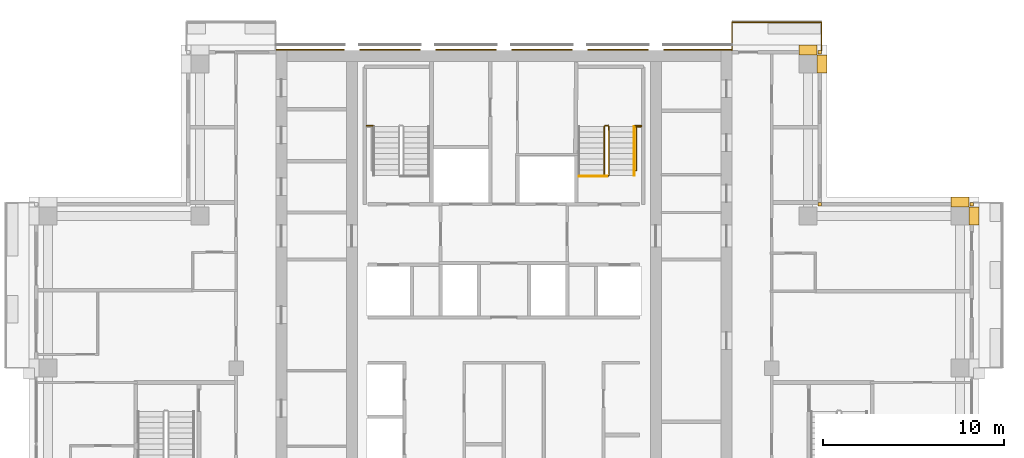
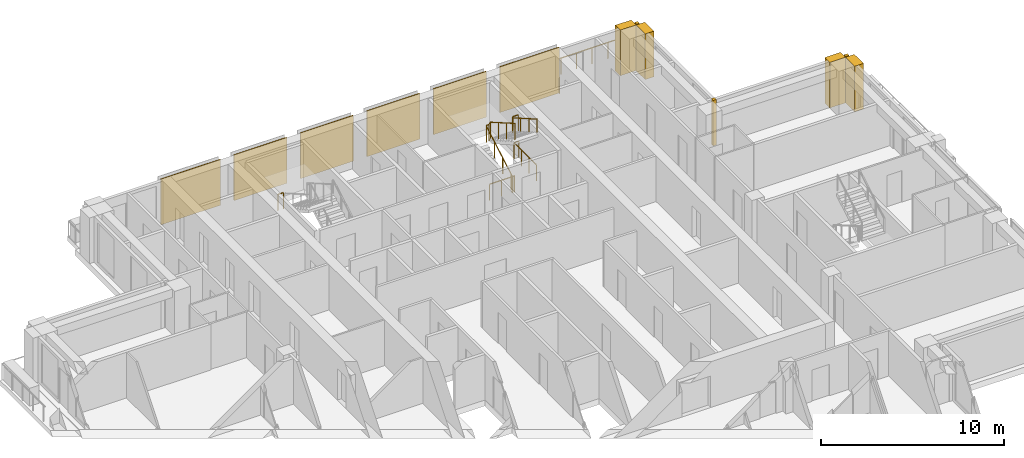
# One storey, part 16 of 16: 13 coverings, 7 railings.
"""IFC4 building model written with IfcOpenShell, lengths in metres."""

from ifc_helpers import new_model, si_unit, direction, frame, origin, origin_2d, place, context, subcontext, project, spatial, polyline, rectangle, outline, extrude, material, type_object, element, save


model = new_model("IFC4")

# Units and contexts
model_context = context("Model", 3, precision=1e-05, world=origin(), true_north=direction((0.0, 1.0)))
body_context = subcontext(model_context, "Body", "Model", "MODEL_VIEW")
ifc_project = project(units=[si_unit("LENGTHUNIT", "METRE"), si_unit("AREAUNIT", "SQUARE_METRE"), si_unit("VOLUMEUNIT", "CUBIC_METRE"), si_unit("PLANEANGLEUNIT", "RADIAN"), si_unit("MASSUNIT", "GRAM", prefix="KILO")], contexts=[model_context])

# Site, building, storey
site_placement = place(None, origin())
site = spatial("IfcSite", under=ifc_project, at=site_placement, CompositionType="ELEMENT")
building_placement = place(site_placement, origin())
building = spatial("IfcBuilding", under=site, at=building_placement, Name="Vermilion Ogive Tower", CompositionType="ELEMENT")
storey_placement = place(building_placement, frame((0.0, 0.0, 182.449951171875)))
storey = spatial("IfcBuildingStorey", under=building, at=storey_placement, Name="L47", CompositionType="ELEMENT", Elevation=182.449951171875)

# Railings
ifc_material_1 = material(Name="Stainless steel and glass", Category="steel")
railing_type_1 = type_object("IfcRailingType", Name="Balcony guard", PredefinedType="GUARDRAIL", material=ifc_material_1)
railing_1_placement = place(storey_placement, frame((17.550048828125, 21.75, -0.0400390625)))
element("IfcRailing", 1, at=railing_1_placement, inside=storey, type_object=railing_type_1, Name="Guard N101", PredefinedType="GUARDRAIL", context=body_context, shape_type="SweptSolid", body=[
    extrude(rectangle(XDim=0.048095703125, YDim=0.048095703125, at=origin_2d()), frame((0.0, 0.0, 1.076171875), z_axis=(0.0, 1.0, 0.0), x_axis=(-1.0, 0.0, 0.0)), (0.0, 0.0, 1.0), 1.56396484375),
    extrude(rectangle(XDim=0.048095703125, YDim=0.048095703125, at=origin_2d()), frame((0.0, 1.56396484375, 1.076171875), z_axis=(-1.0, 0.0, 0.0), x_axis=(0.0, -1.0, 0.0)), (0.0, 0.0, 1.0), 4.949951171875),
    extrude(rectangle(XDim=0.048095703125, YDim=0.048095703125, at=origin_2d()), frame((-4.949951171875, 1.56396484375, 1.076171875), z_axis=(0.0, -1.0, 0.0), x_axis=(1.0, 0.0, 0.0)), (0.0, 0.0, 1.0), 1.56396484375),
    extrude(rectangle(XDim=0.0419921875, YDim=0.0419921875, at=origin_2d()), origin(), (0.0, 0.0, 1.0), 1.052001953125),
    extrude(rectangle(XDim=0.0419921875, YDim=0.0419921875, at=origin_2d()), frame((0.0, 0.781982421875, 0.0)), (0.0, 0.0, 1.0), 1.052001953125),
    extrude(rectangle(XDim=0.0419921875, YDim=0.0419921875, at=origin_2d()), frame((0.0, 1.56396484375, 0.0)), (0.0, 0.0, 1.0), 1.052001953125),
    extrude(rectangle(XDim=0.0419921875, YDim=0.0419921875, at=origin_2d()), frame((-0.989990234375, 1.56396484375, 0.0)), (0.0, 0.0, 1.0), 1.052001953125),
    extrude(rectangle(XDim=0.0419921875, YDim=0.0419921875, at=origin_2d()), frame((-1.97998046875, 1.56396484375, 0.0)), (0.0, 0.0, 1.0), 1.052001953125),
    extrude(rectangle(XDim=0.0419921875, YDim=0.0419921875, at=origin_2d()), frame((-2.969970703125, 1.56396484375, 0.0)), (0.0, 0.0, 1.0), 1.052001953125),
    extrude(rectangle(XDim=0.0419921875, YDim=0.0419921875, at=origin_2d()), frame((-3.9599609375, 1.56396484375, 0.0)), (0.0, 0.0, 1.0), 1.052001953125),
    extrude(rectangle(XDim=0.0419921875, YDim=0.0419921875, at=origin_2d()), frame((-4.949951171875, 1.56396484375, 0.0)), (0.0, 0.0, 1.0), 1.052001953125),
    extrude(rectangle(XDim=0.0419921875, YDim=0.0419921875, at=origin_2d()), frame((-4.949951171875, 0.781982421875, 0.0)), (0.0, 0.0, 1.0), 1.052001953125),
    extrude(rectangle(XDim=0.0419921875, YDim=0.0419921875, at=origin_2d()), frame((-4.949951171875, 0.0, 0.0)), (0.0, 0.0, 1.0), 1.052001953125),
])
ifc_material_2 = material(Name="Steel S355 painted", Category="steel")
railing_type_2 = type_object("IfcRailingType", Name="Stair guard 1100", PredefinedType="GUARDRAIL", material=ifc_material_2)
railing_2_placement = place(storey_placement, frame((5.75, 14.800048828125, 0.0)))
element("IfcRailing", 2, at=railing_2_placement, inside=storey, type_object=railing_type_2, Name="L47 ST2 stair guard 4", PredefinedType="GUARDRAIL", context=body_context, shape_type="SweptSolid", body=[
    extrude(rectangle(XDim=0.048095703125, YDim=0.048095703125, at=origin_2d()), frame((0.0, 0.0, 1.076171875), z_axis=(-1.0, 0.0, 0.0), x_axis=(0.0, -1.0, 0.0)), (0.0, 0.0, 1.0), 0.14990234375),
    extrude(rectangle(XDim=0.048095703125, YDim=0.048095703125, at=origin_2d()), frame((-0.14990234375, 0.0, 1.076171875), z_axis=(-0.268277960024, 0.268277960024, 0.925231793839), x_axis=(-0.707106781187, -0.707106781187, 0.0)), (0.0, 0.0, 1.0), 0.1865234375),
    extrude(rectangle(XDim=0.048095703125, YDim=0.048095703125, at=origin_2d()), frame((-0.199951171875, 0.050048828125, 1.24853515625), z_axis=(0.0, 0.866903762492, 0.498475542607), x_axis=(-1.0, 0.0, 0.0)), (0.0, 0.0, 1.0), 3.114501953125),
    extrude(rectangle(XDim=0.048095703125, YDim=0.048095703125, at=origin_2d()), frame((-0.199951171875, 2.75, 2.80126953125), z_axis=(0.707106781187, 0.707106781187, 0.0), x_axis=(-0.707106781187, 0.707106781187, 0.0)), (0.0, 0.0, 1.0), 0.07080078125),
    extrude(rectangle(XDim=0.048095703125, YDim=0.048095703125, at=origin_2d()), frame((-0.14990234375, 2.800048828125, 2.80126953125), z_axis=(1.0, 0.0, 0.0), x_axis=(0.0, 1.0, 0.0)), (0.0, 0.0, 1.0), 0.14990234375),
    extrude(rectangle(XDim=0.048095703125, YDim=0.048095703125, at=origin_2d()), frame((0.0, 2.800048828125, 2.80126953125), z_axis=(0.268603158521, -0.268603158521, 0.925043072762), x_axis=(0.707106781187, 0.707106781187, 0.0)), (0.0, 0.0, 1.0), 0.186279296875),
    extrude(rectangle(XDim=0.048095703125, YDim=0.048095703125, at=origin_2d()), frame((0.050048828125, 2.75, 2.9736328125), z_axis=(0.0, -0.866903762492, 0.498475542607), x_axis=(1.0, 0.0, 0.0)), (0.0, 0.0, 1.0), 3.114501953125),
    extrude(rectangle(XDim=0.0419921875, YDim=0.0419921875, at=origin_2d()), origin(), (0.0, 0.0, 1.0), 1.052001953125),
    extrude(rectangle(XDim=0.0419921875, YDim=0.0419921875, at=origin_2d()), frame((-0.14990234375, 0.0, 0.0)), (0.0, 0.0, 1.0), 1.052001953125),
    extrude(rectangle(XDim=0.0419921875, YDim=0.0419921875, at=origin_2d()), frame((-0.199951171875, 0.050048828125, 0.172607421875)), (0.0, 0.0, 1.0), 1.052001953125),
    extrude(rectangle(XDim=0.0419921875, YDim=0.0419921875, at=origin_2d()), frame((-0.199951171875, 0.949951171875, 0.690185546875)), (0.0, 0.0, 1.0), 1.052001953125),
    extrude(rectangle(XDim=0.0419921875, YDim=0.0419921875, at=origin_2d()), frame((-0.199951171875, 1.85009765625, 1.20751953125)), (0.0, 0.0, 1.0), 1.052001953125),
    extrude(rectangle(XDim=0.0419921875, YDim=0.0419921875, at=origin_2d()), frame((-0.199951171875, 2.75, 1.72509765625)), (0.0, 0.0, 1.0), 1.052001953125),
    extrude(rectangle(XDim=0.0419921875, YDim=0.0419921875, at=origin_2d()), frame((-0.14990234375, 2.800048828125, 1.72509765625)), (0.0, 0.0, 1.0), 1.052001953125),
    extrude(rectangle(XDim=0.0419921875, YDim=0.0419921875, at=origin_2d()), frame((0.0, 2.800048828125, 1.72509765625)), (0.0, 0.0, 1.0), 1.052001953125),
    extrude(rectangle(XDim=0.0419921875, YDim=0.0419921875, at=origin_2d()), frame((0.050048828125, 2.75, 1.8974609375)), (0.0, 0.0, 1.0), 1.052001953125),
    extrude(rectangle(XDim=0.0419921875, YDim=0.0419921875, at=origin_2d()), frame((0.050048828125, 1.85009765625, 2.4150390625)), (0.0, 0.0, 1.0), 1.052001953125),
    extrude(rectangle(XDim=0.0419921875, YDim=0.0419921875, at=origin_2d()), frame((0.050048828125, 0.949951171875, 2.932373046875)), (0.0, 0.0, 1.0), 1.052001953125),
    extrude(rectangle(XDim=0.0419921875, YDim=0.0419921875, at=origin_2d()), frame((0.050048828125, 0.050048828125, 3.449951171875)), (0.0, 0.0, 1.0), 1.052001953125),
])
for number, where, name in (
    (3, (-7.60009765625, 17.60009765625, 1.72509765625), "L47 landing guard"),
    (4, (7.25, 17.60009765625, 1.72509765625), "L47 landing guard"),
):
    element("IfcRailing", number, at=place(storey_placement, frame(where)), inside=storey, type_object=railing_type_2, Name=name, PredefinedType="GUARDRAIL", context=body_context, shape_type="SweptSolid", body=[
        extrude(rectangle(XDim=0.048095703125, YDim=0.048095703125, at=origin_2d()), frame((0.0, 0.0, 1.076171875), z_axis=(1.0, 0.0, 0.0), x_axis=(0.0, 1.0, 0.0)), (0.0, 0.0, 1.0), 0.35009765625),
        extrude(rectangle(XDim=0.0419921875, YDim=0.0419921875, at=origin_2d()), origin(), (0.0, 0.0, 1.0), 1.052001953125),
        extrude(rectangle(XDim=0.0419921875, YDim=0.0419921875, at=origin_2d()), frame((0.35009765625, 0.0, 0.0)), (0.0, 0.0, 1.0), 1.052001953125),
    ])
railing_3_placement = place(storey_placement, frame((7.599609375, 17.54296875, 0.0)))
element("IfcRailing", 5, at=railing_3_placement, inside=storey, type_object=railing_type_2, Name="L47 stair opening guard", PredefinedType="GUARDRAIL", context=body_context, shape_type="SweptSolid", body=[
    extrude(rectangle(XDim=0.048095703125, YDim=0.048095703125, at=origin_2d()), frame((0.0, 0.0, 1.076171875), z_axis=(-1.0, 0.0, 0.0), x_axis=(0.0, -1.0, 0.0)), (0.0, 0.0, 1.0), 0.2900390625),
    extrude(rectangle(XDim=0.048095703125, YDim=0.048095703125, at=origin_2d()), frame((-0.2900390625, 0.0, 1.076171875), z_axis=(0.0, -1.0, 0.0), x_axis=(1.0, 0.0, 0.0)), (0.0, 0.0, 1.0), 2.42431640625),
    extrude(rectangle(XDim=0.0419921875, YDim=0.0419921875, at=origin_2d()), origin(), (0.0, 0.0, 1.0), 1.052001953125),
    extrude(rectangle(XDim=0.0419921875, YDim=0.0419921875, at=origin_2d()), frame((-0.2900390625, 0.0, 0.0)), (0.0, 0.0, 1.0), 1.052001953125),
    extrude(rectangle(XDim=0.0419921875, YDim=0.0419921875, at=origin_2d()), frame((-0.2900390625, -0.80810546875, 0.0)), (0.0, 0.0, 1.0), 1.052001953125),
    extrude(rectangle(XDim=0.0419921875, YDim=0.0419921875, at=origin_2d()), frame((-0.2900390625, -1.6162109375, 0.0)), (0.0, 0.0, 1.0), 1.052001953125),
    extrude(rectangle(XDim=0.0419921875, YDim=0.0419921875, at=origin_2d()), frame((-0.2900390625, -2.42431640625, 0.0)), (0.0, 0.0, 1.0), 1.052001953125),
])
railing_4_placement = place(storey_placement, frame((5.699951171875, 14.7900390625, 0.0)))
element("IfcRailing", 6, at=railing_4_placement, inside=storey, type_object=railing_type_2, Name="L47 stair opening guard", PredefinedType="GUARDRAIL", context=body_context, shape_type="SweptSolid", body=[
    extrude(rectangle(XDim=0.048095703125, YDim=0.048095703125, at=origin_2d()), frame((0.0, 0.0, 1.076171875), z_axis=(-1.0, 0.0, 0.0), x_axis=(0.0, -1.0, 0.0)), (0.0, 0.0, 1.0), 1.5400390625),
    extrude(rectangle(XDim=0.0419921875, YDim=0.0419921875, at=origin_2d()), origin(), (0.0, 0.0, 1.0), 1.052001953125),
    extrude(rectangle(XDim=0.0419921875, YDim=0.0419921875, at=origin_2d()), frame((-0.77001953125, 0.0, 0.0)), (0.0, 0.0, 1.0), 1.052001953125),
    extrude(rectangle(XDim=0.0419921875, YDim=0.0419921875, at=origin_2d()), frame((-1.5400390625, 0.0, 0.0)), (0.0, 0.0, 1.0), 1.052001953125),
])
ifc_material_3 = material(Name="Stainless steel", Category="steel")
railing_type_3 = type_object("IfcRailingType", Name="Stair handrail 900", PredefinedType="HANDRAIL", material=ifc_material_3)
railing_5_placement = place(storey_placement, frame((7.199951171875, 17.550048828125, 1.8974609375)))
element("IfcRailing", 7, at=railing_5_placement, inside=storey, type_object=railing_type_3, Name="L47 ST2 stair handrail 2", PredefinedType="HANDRAIL", context=body_context, shape_type="SweptSolid", body=[
    extrude(rectangle(XDim=0.048095703125, YDim=0.048095703125, at=origin_2d()), frame((0.0, 0.0, 0.8759765625), z_axis=(0.0, -0.866903762492, 0.498475542607), x_axis=(1.0, 0.0, 0.0)), (0.0, 0.0, 1.0), 3.114501953125),
    extrude(rectangle(XDim=0.0419921875, YDim=0.0419921875, at=origin_2d()), origin(), (0.0, 0.0, 1.0), 0.851806640625),
    extrude(rectangle(XDim=0.0419921875, YDim=0.0419921875, at=origin_2d()), frame((0.0, -0.89990234375, 0.517578125)), (0.0, 0.0, 1.0), 0.851806640625),
    extrude(rectangle(XDim=0.0419921875, YDim=0.0419921875, at=origin_2d()), frame((0.0, -1.800048828125, 1.034912109375)), (0.0, 0.0, 1.0), 0.851806640625),
    extrude(rectangle(XDim=0.0419921875, YDim=0.0419921875, at=origin_2d()), frame((0.0, -2.699951171875, 1.552490234375)), (0.0, 0.0, 1.0), 0.851806640625),
])

# Coverings
ifc_material_4 = material(Name="Stone cladding", Category="masonry")
covering_type_1 = type_object("IfcCoveringType", Name="Stone cladding panel", PredefinedType="CLADDING", material=ifc_material_4)
covering_1_placement = place(storey_placement, origin())
element("IfcCovering", 8, at=covering_1_placement, inside=storey, type_object=covering_type_1, Name="Stone cladding panel N1", PredefinedType="CLADDING", context=body_context, shape_type="SweptSolid", body=[
    extrude(outline(polyline([(-12.590087890625, 21.75), (-8.830078125, 21.75), (-8.830078125, 21.81005859375), (-12.590087890625, 21.81005859375), (-12.590087890625, 21.75)])), origin(), (0.0, 0.0, 1.0), 3.050048828125),
])
covering_2_placement = place(storey_placement, origin())
element("IfcCovering", 9, at=covering_2_placement, inside=storey, type_object=covering_type_1, Name="Stone cladding panel N2", PredefinedType="CLADDING", context=body_context, shape_type="SweptSolid", body=[
    extrude(outline(polyline([(-7.969970703125, 21.75), (-4.6298828125, 21.75), (-4.6298828125, 21.81005859375), (-7.969970703125, 21.81005859375), (-7.969970703125, 21.75)])), origin(), (0.0, 0.0, 1.0), 3.050048828125),
])
covering_3_placement = place(storey_placement, origin())
element("IfcCovering", 10, at=covering_3_placement, inside=storey, type_object=covering_type_1, Name="Stone cladding panel N3", PredefinedType="CLADDING", context=body_context, shape_type="SweptSolid", body=[
    extrude(outline(polyline([(-3.77001953125, 21.75), (-0.429931640625, 21.75), (-0.429931640625, 21.81005859375), (-3.77001953125, 21.81005859375), (-3.77001953125, 21.75)])), origin(), (0.0, 0.0, 1.0), 3.050048828125),
])
covering_4_placement = place(storey_placement, origin())
element("IfcCovering", 11, at=covering_4_placement, inside=storey, type_object=covering_type_1, Name="Stone cladding panel N4", PredefinedType="CLADDING", context=body_context, shape_type="SweptSolid", body=[
    extrude(outline(polyline([(0.429931640625, 21.75), (3.77001953125, 21.75), (3.77001953125, 21.81005859375), (0.429931640625, 21.81005859375), (0.429931640625, 21.75)])), origin(), (0.0, 0.0, 1.0), 3.050048828125),
])
covering_5_placement = place(storey_placement, origin())
element("IfcCovering", 12, at=covering_5_placement, inside=storey, type_object=covering_type_1, Name="Stone cladding panel N5", PredefinedType="CLADDING", context=body_context, shape_type="SweptSolid", body=[
    extrude(outline(polyline([(4.6298828125, 21.75), (7.969970703125, 21.75), (7.969970703125, 21.81005859375), (4.6298828125, 21.81005859375), (4.6298828125, 21.75)])), origin(), (0.0, 0.0, 1.0), 3.050048828125),
])
covering_6_placement = place(storey_placement, origin())
element("IfcCovering", 13, at=covering_6_placement, inside=storey, type_object=covering_type_1, Name="Stone cladding panel N6", PredefinedType="CLADDING", context=body_context, shape_type="SweptSolid", body=[
    extrude(outline(polyline([(8.830078125, 21.75), (12.590087890625, 21.75), (12.590087890625, 21.81005859375), (8.830078125, 21.81005859375), (8.830078125, 21.75)])), origin(), (0.0, 0.0, 1.0), 3.050048828125),
])
ifc_material_5 = material(Name="Stone cladding", Category="masonry")
covering_type_2 = type_object("IfcCoveringType", Name="Stone pier", PredefinedType="CLADDING", material=ifc_material_5)
covering_7_placement = place(storey_placement, origin())
element("IfcCovering", 14, at=covering_7_placement, inside=storey, type_object=covering_type_2, Name="Stone corner pier EE1", PredefinedType="CLADDING", context=body_context, shape_type="SweptSolid", body=[
    extrude(outline(polyline([(25.75, 13.14990234375), (25.75, 13.35009765625), (25.949951171875, 13.35009765625), (25.949951171875, 13.14990234375), (25.75, 13.14990234375)])), origin(), (0.0, 0.0, 1.0), 3.050048828125),
])
covering_8_placement = place(storey_placement, origin())
element("IfcCovering", 15, at=covering_8_placement, inside=storey, type_object=covering_type_2, Name="Stone corner pier X3E1", PredefinedType="CLADDING", context=body_context, shape_type="SweptSolid", body=[
    extrude(outline(polyline([(17.35009765625, 13.14990234375), (17.35009765625, 13.35009765625), (17.550048828125, 13.35009765625), (17.550048828125, 13.14990234375), (17.35009765625, 13.14990234375)])), origin(), (0.0, 0.0, 1.0), 3.050048828125),
])
covering_9_placement = place(storey_placement, origin())
element("IfcCovering", 16, at=covering_9_placement, inside=storey, type_object=covering_type_2, Name="Stone corner pier X4E1", PredefinedType="CLADDING", context=body_context, shape_type="SweptSolid", body=[
    extrude(outline(polyline([(17.35009765625, 21.550048828125), (17.35009765625, 21.75), (17.550048828125, 21.75), (17.550048828125, 21.550048828125), (17.35009765625, 21.550048828125)])), origin(), (0.0, 0.0, 1.0), 3.050048828125),
])
covering_10_placement = place(storey_placement, origin())
element("IfcCovering", 17, at=covering_10_placement, inside=storey, type_object=covering_type_2, Name="Stone pier P+0168+210X4", PredefinedType="CLADDING", context=body_context, shape_type="SweptSolid", body=[
    extrude(outline(polyline([(17.85009765625, 21.5), (17.85009765625, 20.5), (17.300048828125, 20.5), (17.300048828125, 21.5), (17.85009765625, 21.5)])), origin(), (0.0, 0.0, 1.0), 3.050048828125),
])
covering_11_placement = place(storey_placement, origin())
element("IfcCovering", 18, at=covering_11_placement, inside=storey, type_object=covering_type_2, Name="Stone pier P+0168+210N1", PredefinedType="CLADDING", context=body_context, shape_type="SweptSolid", body=[
    extrude(outline(polyline([(17.300048828125, 22.050048828125), (17.300048828125, 21.5), (16.300048828125, 21.5), (16.300048828125, 22.050048828125), (17.300048828125, 22.050048828125)])), origin(), (0.0, 0.0, 1.0), 3.050048828125),
])
covering_12_placement = place(storey_placement, origin())
element("IfcCovering", 19, at=covering_12_placement, inside=storey, type_object=covering_type_2, Name="Stone pier P+0252+126E", PredefinedType="CLADDING", context=body_context, shape_type="SweptSolid", body=[
    extrude(outline(polyline([(26.25, 13.10009765625), (26.25, 12.10009765625), (25.699951171875, 12.10009765625), (25.699951171875, 13.10009765625), (26.25, 13.10009765625)])), origin(), (0.0, 0.0, 1.0), 3.050048828125),
])
covering_13_placement = place(storey_placement, origin())
element("IfcCovering", 20, at=covering_13_placement, inside=storey, type_object=covering_type_2, Name="Stone pier P+0252+126X3", PredefinedType="CLADDING", context=body_context, shape_type="SweptSolid", body=[
    extrude(outline(polyline([(25.699951171875, 13.64990234375), (25.699951171875, 13.10009765625), (24.699951171875, 13.10009765625), (24.699951171875, 13.64990234375), (25.699951171875, 13.64990234375)])), origin(), (0.0, 0.0, 1.0), 3.050048828125),
])

save(model, "model.ifc")
